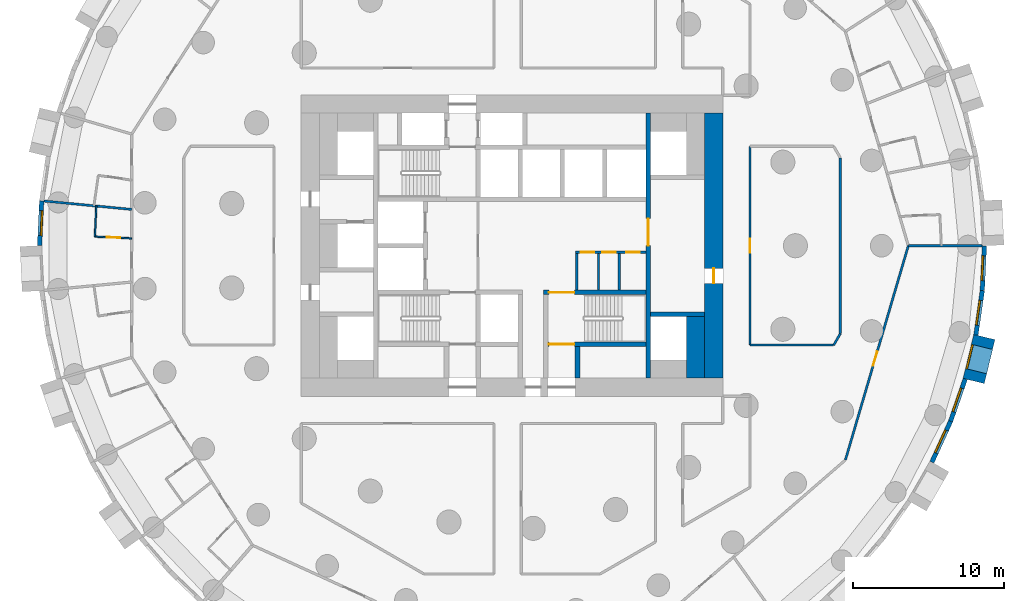
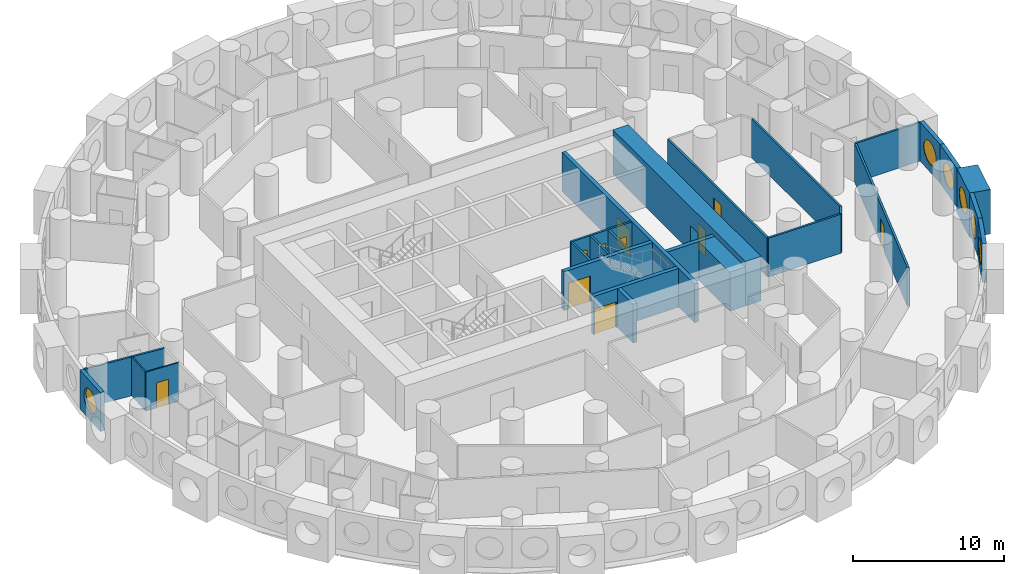
# One storey, part 6 of 12: 26 walls, 10 doors, 6 windows, 16 openings.
"""IFC4 building model written with IfcOpenShell, lengths in metres."""

from ifc_helpers import new_model, si_unit, direction, frame, frame_2d, origin, origin_2d, place, context, subcontext, project, spatial, rectangle, circle, extrude, material, layer, layer_set, type_object, element, fill, save


model = new_model("IFC4")

# Units and contexts
model_context = context("Model", 3, precision=1e-05, world=origin(), true_north=direction((0.0, 1.0)))
body_context = subcontext(model_context, "Body", "Model", "MODEL_VIEW")
ifc_project = project(units=[si_unit("LENGTHUNIT", "METRE"), si_unit("AREAUNIT", "SQUARE_METRE"), si_unit("VOLUMEUNIT", "CUBIC_METRE"), si_unit("PLANEANGLEUNIT", "RADIAN"), si_unit("MASSUNIT", "GRAM", prefix="KILO")], contexts=[model_context])

# Site, building, storey
site_placement = place(None, origin())
site = spatial("IfcSite", under=ifc_project, at=site_placement, CompositionType="ELEMENT")
building_placement = place(site_placement, origin())
building = spatial("IfcBuilding", under=site, at=building_placement, Name="Tracery Tower", CompositionType="ELEMENT")
storey_placement = place(building_placement, frame((0.0, 0.0, 31.800048828125)))
storey = spatial("IfcBuildingStorey", under=building, at=storey_placement, Name="L06", CompositionType="ELEMENT", Elevation=31.800048828125)

# Wall
ifc_material_1 = material(Name="Plasterboard on steel studs", Category="steel")
ifc_layer_1 = layer(ifc_material_1, 0.14990234375)
ifc_layer_set_1 = layer_set([ifc_layer_1], Name="Core room partition 150")
wall_type_1 = type_object("IfcWallType", Name="Core room partition 150", PredefinedType="SOLIDWALL", material=ifc_layer_set_1)
wall_1_placement = place(storey_placement, frame((4.300048828125, -2.949951171875, 0.0), z_axis=(0.0, 0.0, 1.0), x_axis=(0.0, 1.0, 0.0)))
element("IfcWall", 1, at=wall_1_placement, inside=storey, type_object=wall_type_1, Name="L06 slot W", PredefinedType="SOLIDWALL", context=body_context, shape_type="SweptSolid", body=[
    extrude(rectangle(XDim=2.449951171875, YDim=0.14990234375, at=frame_2d((1.22509765625, 0.0))), origin(), (0.0, 0.0, 1.0), 3.14990234375),
])

# Wall, openings, doors
wall_2_placement = place(storey_placement, frame((4.22509765625, -0.425048828125, 0.0), z_axis=(0.0, 0.0, 1.0), x_axis=(1.0, 0.0, 0.0)))
wall_2 = element("IfcWall", 2, at=wall_2_placement, inside=storey, type_object=wall_type_1, Name="L06 slot N", PredefinedType="SOLIDWALL", context=body_context, shape_type="SweptSolid", body=[
    extrude(rectangle(XDim=4.6748046875, YDim=0.14990234375, at=frame_2d((2.33740234375, 0.0))), origin(), (0.0, 0.0, 1.0), 3.14990234375),
])
opening_1_placement = place(wall_2_placement, frame((0.35009765625, 0.0, 0.0)))
opening_1 = element("IfcOpeningElement", 3, at=opening_1_placement, cuts=wall_2, Name="Opening KD27", PredefinedType="OPENING", context=body_context, shape_type="SweptSolid", body=[
    extrude(rectangle(XDim=0.89990234375, YDim=2.10009765625, at=frame_2d((0.449951171875, 1.050048828125))), frame((0.0, 0.074951171875, 0.0), z_axis=(0.0, -1.0, 0.0), x_axis=(1.0, 0.0, 0.0)), (0.0, 0.0, 1.0), 0.14990234375),
])
opening_2_placement = place(wall_2_placement, frame((1.762451171875, 0.0, 0.0)))
opening_2 = element("IfcOpeningElement", 4, at=opening_2_placement, cuts=wall_2, Name="Opening KD31", PredefinedType="OPENING", context=body_context, shape_type="SweptSolid", body=[
    extrude(rectangle(XDim=0.89990234375, YDim=2.10009765625, at=frame_2d((0.449951171875, 1.050048828125))), frame((0.0, 0.074951171875, 0.0), z_axis=(0.0, -1.0, 0.0), x_axis=(1.0, 0.0, 0.0)), (0.0, 0.0, 1.0), 0.14990234375),
])
opening_3_placement = place(wall_2_placement, frame((3.375, 0.0, 0.0)))
opening_3 = element("IfcOpeningElement", 5, at=opening_3_placement, cuts=wall_2, Name="Opening KD22", PredefinedType="OPENING", context=body_context, shape_type="SweptSolid", body=[
    extrude(rectangle(XDim=0.89990234375, YDim=2.10009765625, at=frame_2d((0.449951171875, 1.050048828125))), frame((0.0, 0.074951171875, 0.0), z_axis=(0.0, -1.0, 0.0), x_axis=(1.0, 0.0, 0.0)), (0.0, 0.0, 1.0), 0.14990234375),
])
ifc_material_2 = material(Name="Timber door leaf", Category="wood")
door_type_1 = type_object("IfcDoorType", Name="Core WC door 900", OperationType="NOTDEFINED", PredefinedType="DOOR", material=ifc_material_2)
door_1_placement = place(opening_3_placement, origin())
door_1 = element("IfcDoor", 6, at=door_1_placement, inside=storey, type_object=door_type_1, Name="Core door", OperationType="SINGLE_SWING_RIGHT", OverallHeight=2.10009765625, OverallWidth=0.89990234375, PredefinedType="DOOR", context=body_context, shape_type="SweptSolid", body=[
    extrude(rectangle(XDim=0.89990234375, YDim=2.10009765625, at=frame_2d((0.449951171875, 1.050048828125))), frame((0.0, 0.02490234375, 0.0), z_axis=(0.0, -1.0, 0.0), x_axis=(1.0, 0.0, 0.0)), (0.0, 0.0, 1.0), 0.050048828125),
])
fill(opening_3, door_1)
ifc_material_3 = material(Name="Steel fire door", Category="steel")
door_type_2 = type_object("IfcDoorType", Name="Core riser door 900", OperationType="NOTDEFINED", PredefinedType="DOOR", material=ifc_material_3)
door_2_placement = place(opening_2_placement, origin())
door_2 = element("IfcDoor", 7, at=door_2_placement, inside=storey, type_object=door_type_2, Name="Core door", OperationType="SINGLE_SWING_LEFT", OverallHeight=2.10009765625, OverallWidth=0.89990234375, PredefinedType="DOOR", context=body_context, shape_type="SweptSolid", body=[
    extrude(rectangle(XDim=0.89990234375, YDim=2.10009765625, at=frame_2d((0.449951171875, 1.050048828125))), frame((0.0, 0.02490234375, 0.0), z_axis=(0.0, -1.0, 0.0), x_axis=(1.0, 0.0, 0.0)), (0.0, 0.0, 1.0), 0.050048828125),
])
fill(opening_2, door_2)
ifc_material_4 = material(Name="Timber door leaf", Category="wood")
door_type_3 = type_object("IfcDoorType", Name="Core store door 900", OperationType="NOTDEFINED", PredefinedType="DOOR", material=ifc_material_4)
door_3_placement = place(opening_1_placement, origin())
door_3 = element("IfcDoor", 8, at=door_3_placement, inside=storey, type_object=door_type_3, Name="Core door", OperationType="SINGLE_SWING_RIGHT", OverallHeight=2.10009765625, OverallWidth=0.89990234375, PredefinedType="DOOR", context=body_context, shape_type="SweptSolid", body=[
    extrude(rectangle(XDim=0.89990234375, YDim=2.10009765625, at=frame_2d((0.449951171875, 1.050048828125))), frame((0.0, 0.02490234375, 0.0), z_axis=(0.0, -1.0, 0.0), x_axis=(1.0, 0.0, 0.0)), (0.0, 0.0, 1.0), 0.050048828125),
])
fill(opening_1, door_3)

# Walls
for number, where, z_axis, x_axis, name in (
    (9, (5.75, -2.949951171875, 0.0), (0.0, 0.0, 1.0), (0.0, 1.0, 0.0), "L06 slot sep 1"),
    (10, (7.125, -2.949951171875, 0.0), (0.0, 0.0, 1.0), (0.0, 1.0, 0.0), "L06 slot sep 2"),
):
    element("IfcWall", number, at=place(storey_placement, frame(where, z_axis=z_axis, x_axis=x_axis)), inside=storey, type_object=wall_type_1, Name=name, PredefinedType="SOLIDWALL", context=body_context, shape_type="SweptSolid", body=[
        extrude(rectangle(XDim=2.449951171875, YDim=0.14990234375, at=frame_2d((1.22509765625, 0.0))), origin(), (0.0, 0.0, 1.0), 3.14990234375),
    ])
ifc_material_5 = material(Name="Concrete C60/75", Category="concrete")
ifc_layer_2 = layer(ifc_material_5, 1.199951171875)
ifc_layer_set_2 = layer_set([ifc_layer_2], Name="Core strip wall 1200 C60")
wall_type_2 = type_object("IfcWallType", Name="Core strip wall 1200 C60", PredefinedType="SOLIDWALL", material=ifc_layer_set_2)
wall_3_placement = place(storey_placement, frame((12.199951171875, -8.800048828125, 0.0), z_axis=(0.0, 0.0, 1.0), x_axis=(0.0, 1.0, 0.0)))
element("IfcWall", 11, at=wall_3_placement, inside=storey, type_object=wall_type_2, Name="L06 wing strip +1 -9.4", PredefinedType="SOLIDWALL", context=body_context, shape_type="SweptSolid", body=[
    extrude(rectangle(XDim=4.10009765625, YDim=1.199951171875, at=frame_2d((2.050048828125, 0.0))), origin(), (0.0, 0.0, 1.0), 3.14990234375),
])

# Wall, opening, door
ifc_material_6 = material(Name="Concrete C60/75", Category="concrete")
ifc_layer_3 = layer(ifc_material_6, 1.199951171875)
ifc_layer_set_3 = layer_set([ifc_layer_3], Name="Core wall 1200 C60")
wall_type_3 = type_object("IfcWallType", Name="Core wall 1200 C60", PredefinedType="SOLIDWALL", material=ifc_layer_set_3)
wall_4_placement = place(storey_placement, frame((13.39990234375, -8.800048828125, 0.0), z_axis=(0.0, 0.0, 1.0), x_axis=(0.0, 1.0, 0.0)))
wall_4 = element("IfcWall", 12, at=wall_4_placement, inside=storey, type_object=wall_type_3, Name="L06 outer E", PredefinedType="SOLIDWALL", context=body_context, shape_type="SweptSolid", body=[
    extrude(rectangle(XDim=17.60009765625, YDim=1.199951171875, at=frame_2d((8.800048828125, 0.0))), origin(), (0.0, 0.0, 1.0), 3.599853515625),
])
opening_4_placement = place(wall_4_placement, frame((6.300048828125, 0.0, 0.0)))
opening_4 = element("IfcOpeningElement", 13, at=opening_4_placement, cuts=wall_4, Name="Opening KD18", PredefinedType="OPENING", context=body_context, shape_type="SweptSolid", body=[
    extrude(rectangle(XDim=1.0, YDim=2.10009765625, at=frame_2d((0.5, 1.050048828125))), frame((0.0, 0.60009765625, 0.0), z_axis=(0.0, -1.0, 0.0), x_axis=(1.0, 0.0, 0.0)), (0.0, 0.0, 1.0), 1.199951171875),
])
ifc_material_7 = material(Name="Steel fire door", Category="steel")
door_type_4 = type_object("IfcDoorType", Name="Core exit door 1000", OperationType="NOTDEFINED", PredefinedType="DOOR", material=ifc_material_7)
door_4_placement = place(opening_4_placement, origin())
door_4 = element("IfcDoor", 14, at=door_4_placement, inside=storey, type_object=door_type_4, Name="Core exit door", OperationType="DOUBLE_DOOR_SINGLE_SWING", OverallHeight=2.10009765625, OverallWidth=1.0, PredefinedType="DOOR", context=body_context, shape_type="SweptSolid", body=[
    extrude(rectangle(XDim=1.0, YDim=2.10009765625, at=frame_2d((0.5, 1.050048828125))), frame((0.0, 0.02490234375, 0.0), z_axis=(0.0, -1.0, 0.0), x_axis=(1.0, 0.0, 0.0)), (0.0, 0.0, 1.0), 0.050048828125),
])
fill(opening_4, door_4)

# Wall, opening, window
ifc_material_8 = material(Name="Precast concrete C50/60", Category="concrete")
ifc_layer_4 = layer(ifc_material_8, 1.449951171875)
ifc_layer_set_4 = layer_set([ifc_layer_4], Name="Deep-set bay unit 3000 x 3600, slab edge 450")
wall_type_4 = type_object("IfcWallType", Name="Deep-set bay unit 3000 x 3600, slab edge 450", PredefinedType="ELEMENTEDWALL", material=ifc_layer_set_4)
wall_5_placement = place(storey_placement, frame((30.66064453125, -8.981689453125, -0.449951171875), z_axis=(0.0, 0.0, 1.0), x_axis=(0.235751415068, 0.971813392732, 0.0)))
wall_5 = element("IfcWall", 15, at=wall_5_placement, inside=storey, type_object=wall_type_4, Name="Deep-set bay unit 64 at L06", PredefinedType="ELEMENTEDWALL", context=body_context, shape_type="SweptSolid", body=[
    extrude(rectangle(XDim=3.0, YDim=1.449951171875, at=frame_2d((1.5, 0.0))), origin(), (0.0, 0.0, 1.0), 3.599853515625),
])
opening_5_placement = place(wall_5_placement, frame((1.5, 0.0, 2.0)))
opening_5 = element("IfcOpeningElement", 16, at=opening_5_placement, cuts=wall_5, Name="Opening WN1", PredefinedType="OPENING", context=body_context, shape_type="SweptSolid", body=[
    extrude(circle(Radius=0.9000244140625, at=origin_2d()), frame((0.0, 0.73486328125, 0.0), z_axis=(0.0, -1.0, 0.0), x_axis=(1.0, 0.0, 0.0)), (0.0, 0.0, 1.0), 1.469970703125),
])
ifc_material_9 = material(Name="Aluminium frame with tinted double glazing", Category="aluminium")
window_type = type_object("IfcWindowType", Name="Round window 1800", PartitioningType="SINGLE_PANEL", PredefinedType="WINDOW", material=ifc_material_9)
window_1_placement = place(opening_5_placement, origin())
window_1 = element("IfcWindow", 17, at=window_1_placement, inside=storey, type_object=window_type, Name="Round window 64 at L06", OverallHeight=1.800048828125, OverallWidth=1.800048828125, PartitioningType="SINGLE_PANEL", PredefinedType="WINDOW", context=body_context, shape_type="SweptSolid", body=[
    extrude(circle(Radius=0.9000244140625, at=origin_2d()), frame((0.0, 0.69482421875, 0.0), z_axis=(0.0, -1.0, 0.0), x_axis=(1.0, 0.0, 0.0)), (0.0, 0.0, 1.0), 0.10009765625),
])
fill(opening_5, window_1)

ifc_material_10 = material(Name="Precast concrete C50/60", Category="concrete")
ifc_layer_5 = layer(ifc_material_10, 0.300048828125)
ifc_layer_set_5 = layer_set([ifc_layer_5], Name="Facade panel 3000 x 3150")
wall_type_5 = type_object("IfcWallType", Name="Facade panel 3000 x 3150", PredefinedType="SOLIDWALL", material=ifc_layer_set_5)
wall_6_placement = place(storey_placement, frame((-31.232421875, 2.982421875, 0.0), z_axis=(0.0, 0.0, 1.0), x_axis=(-0.047522328113, -0.998870175914, 0.0)))
wall_6 = element("IfcWall", 18, at=wall_6_placement, inside=storey, type_object=wall_type_5, Name="Facade panel 33 at L06", PredefinedType="SOLIDWALL", context=body_context, shape_type="SweptSolid", body=[
    extrude(rectangle(XDim=2.979736328125, YDim=0.300048828125, at=frame_2d((1.48974609375, 0.0))), origin(), (0.0, 0.0, 1.0), 3.14990234375),
])
opening_6_placement = place(wall_6_placement, frame((1.48974609375, 0.0, 1.5498046875)))
opening_6 = element("IfcOpeningElement", 19, at=opening_6_placement, cuts=wall_6, Name="Opening WN1", PredefinedType="OPENING", context=body_context, shape_type="SweptSolid", body=[
    extrude(circle(Radius=0.9000244140625, at=origin_2d()), frame((0.0, 0.159912109375, 0.0), z_axis=(0.0, -1.0, 0.0), x_axis=(1.0, 0.0, 0.0)), (0.0, 0.0, 1.0), 0.320068359375),
])
window_2_placement = place(opening_6_placement, origin())
window_2 = element("IfcWindow", 20, at=window_2_placement, inside=storey, type_object=window_type, Name="Round window 33 at L06", OverallHeight=1.800048828125, OverallWidth=1.800048828125, PartitioningType="SINGLE_PANEL", PredefinedType="WINDOW", context=body_context, shape_type="SweptSolid", body=[
    extrude(circle(Radius=0.9000244140625, at=origin_2d()), frame((0.0, 0.1201171875, 0.0), z_axis=(0.0, -1.0, 0.0), x_axis=(1.0, 0.0, 0.0)), (0.0, 0.0, 1.0), 0.10009765625),
])
fill(opening_6, window_2)

wall_7_placement = place(storey_placement, frame((27.88916015625, -14.37109375, 0.0), z_axis=(0.0, 0.0, 1.0), x_axis=(0.415407317162, 0.909635509888, 0.0)))
wall_7 = element("IfcWall", 21, at=wall_7_placement, inside=storey, type_object=wall_type_5, Name="Facade panel 62 at L06", PredefinedType="SOLIDWALL", context=body_context, shape_type="SweptSolid", body=[
    extrude(rectangle(XDim=2.979736328125, YDim=0.300048828125, at=frame_2d((1.48974609375, 0.0))), origin(), (0.0, 0.0, 1.0), 3.14990234375),
])
opening_7_placement = place(wall_7_placement, frame((1.48974609375, 0.0, 1.5498046875)))
opening_7 = element("IfcOpeningElement", 22, at=opening_7_placement, cuts=wall_7, Name="Opening WN1", PredefinedType="OPENING", context=body_context, shape_type="SweptSolid", body=[
    extrude(circle(Radius=0.9000244140625, at=origin_2d()), frame((0.0, 0.159912109375, 0.0), z_axis=(0.0, -1.0, 0.0), x_axis=(1.0, 0.0, 0.0)), (0.0, 0.0, 1.0), 0.320068359375),
])
window_3_placement = place(opening_7_placement, origin())
window_3 = element("IfcWindow", 23, at=window_3_placement, inside=storey, type_object=window_type, Name="Round window 62 at L06", OverallHeight=1.800048828125, OverallWidth=1.800048828125, PartitioningType="SINGLE_PANEL", PredefinedType="WINDOW", context=body_context, shape_type="SweptSolid", body=[
    extrude(circle(Radius=0.9000244140625, at=origin_2d()), frame((0.0, 0.1201171875, 0.0), z_axis=(0.0, -1.0, 0.0), x_axis=(1.0, 0.0, 0.0)), (0.0, 0.0, 1.0), 0.10009765625),
])
fill(opening_7, window_3)

wall_8_placement = place(storey_placement, frame((29.126953125, -11.66064453125, 0.0), z_axis=(0.0, 0.0, 1.0), x_axis=(0.327096492592, 0.944990944154, 0.0)))
wall_8 = element("IfcWall", 24, at=wall_8_placement, inside=storey, type_object=wall_type_5, Name="Facade panel 63 at L06", PredefinedType="SOLIDWALL", context=body_context, shape_type="SweptSolid", body=[
    extrude(rectangle(XDim=2.9794921875, YDim=0.300048828125, at=frame_2d((1.48974609375, 0.0))), origin(), (0.0, 0.0, 1.0), 3.14990234375),
])
opening_8_placement = place(wall_8_placement, frame((1.48974609375, 0.0, 1.5498046875)))
opening_8 = element("IfcOpeningElement", 25, at=opening_8_placement, cuts=wall_8, Name="Opening WN1", PredefinedType="OPENING", context=body_context, shape_type="SweptSolid", body=[
    extrude(circle(Radius=0.9000244140625, at=origin_2d()), frame((0.0, 0.159912109375, 0.0), z_axis=(0.0, -1.0, 0.0), x_axis=(1.0, 0.0, 0.0)), (0.0, 0.0, 1.0), 0.320068359375),
])
window_4_placement = place(opening_8_placement, origin())
window_4 = element("IfcWindow", 26, at=window_4_placement, inside=storey, type_object=window_type, Name="Round window 63 at L06", OverallHeight=1.800048828125, OverallWidth=1.800048828125, PartitioningType="SINGLE_PANEL", PredefinedType="WINDOW", context=body_context, shape_type="SweptSolid", body=[
    extrude(circle(Radius=0.9000244140625, at=origin_2d()), frame((0.0, 0.1201171875, 0.0), z_axis=(0.0, -1.0, 0.0), x_axis=(1.0, 0.0, 0.0)), (0.0, 0.0, 1.0), 0.10009765625),
])
fill(opening_8, window_4)

wall_9_placement = place(storey_placement, frame((30.808349609375, -5.931640625, 0.0), z_axis=(0.0, 0.0, 1.0), x_axis=(0.142327539111, 0.989819615693, 0.0)))
wall_9 = element("IfcWall", 27, at=wall_9_placement, inside=storey, type_object=wall_type_5, Name="Facade panel 65 at L06", PredefinedType="SOLIDWALL", context=body_context, shape_type="SweptSolid", body=[
    extrude(rectangle(XDim=2.9794921875, YDim=0.300048828125, at=frame_2d((1.48974609375, 0.0))), origin(), (0.0, 0.0, 1.0), 3.14990234375),
])
opening_9_placement = place(wall_9_placement, frame((1.48974609375, 0.0, 1.5498046875)))
opening_9 = element("IfcOpeningElement", 28, at=opening_9_placement, cuts=wall_9, Name="Opening WN1", PredefinedType="OPENING", context=body_context, shape_type="SweptSolid", body=[
    extrude(circle(Radius=0.9000244140625, at=origin_2d()), frame((0.0, 0.159912109375, 0.0), z_axis=(0.0, -1.0, 0.0), x_axis=(1.0, 0.0, 0.0)), (0.0, 0.0, 1.0), 0.320068359375),
])
window_5_placement = place(opening_9_placement, origin())
window_5 = element("IfcWindow", 29, at=window_5_placement, inside=storey, type_object=window_type, Name="Round window 65 at L06", OverallHeight=1.800048828125, OverallWidth=1.800048828125, PartitioningType="SINGLE_PANEL", PredefinedType="WINDOW", context=body_context, shape_type="SweptSolid", body=[
    extrude(circle(Radius=0.9000244140625, at=origin_2d()), frame((0.0, 0.1201171875, 0.0), z_axis=(0.0, -1.0, 0.0), x_axis=(1.0, 0.0, 0.0)), (0.0, 0.0, 1.0), 0.10009765625),
])
fill(opening_9, window_5)

wall_10_placement = place(storey_placement, frame((31.232421875, -2.982421875, 0.0), z_axis=(0.0, 0.0, 1.0), x_axis=(0.047522328113, 0.998870175914, 0.0)))
wall_10 = element("IfcWall", 30, at=wall_10_placement, inside=storey, type_object=wall_type_5, Name="Facade panel 66 at L06", PredefinedType="SOLIDWALL", context=body_context, shape_type="SweptSolid", body=[
    extrude(rectangle(XDim=2.979736328125, YDim=0.300048828125, at=frame_2d((1.48974609375, 0.0))), origin(), (0.0, 0.0, 1.0), 3.14990234375),
])
opening_10_placement = place(wall_10_placement, frame((1.48974609375, 0.0, 1.5498046875)))
opening_10 = element("IfcOpeningElement", 31, at=opening_10_placement, cuts=wall_10, Name="Opening WN1", PredefinedType="OPENING", context=body_context, shape_type="SweptSolid", body=[
    extrude(circle(Radius=0.9000244140625, at=origin_2d()), frame((0.0, 0.159912109375, 0.0), z_axis=(0.0, -1.0, 0.0), x_axis=(1.0, 0.0, 0.0)), (0.0, 0.0, 1.0), 0.320068359375),
])
window_6_placement = place(opening_10_placement, origin())
window_6 = element("IfcWindow", 32, at=window_6_placement, inside=storey, type_object=window_type, Name="Round window 66 at L06", OverallHeight=1.800048828125, OverallWidth=1.800048828125, PartitioningType="SINGLE_PANEL", PredefinedType="WINDOW", context=body_context, shape_type="SweptSolid", body=[
    extrude(circle(Radius=0.9000244140625, at=origin_2d()), frame((0.0, 0.1201171875, 0.0), z_axis=(0.0, -1.0, 0.0), x_axis=(1.0, 0.0, 0.0)), (0.0, 0.0, 1.0), 0.10009765625),
])
fill(opening_10, window_6)

# Wall
ifc_material_11 = material(Name="Plasterboard on steel studs", Category="steel")
ifc_layer_6 = layer(ifc_material_11, 0.10009765625)
ifc_layer_set_6 = layer_set([ifc_layer_6], Name="Partition 100 wet wall")
wall_type_6 = type_object("IfcWallType", Name="Partition 100 wet wall", PredefinedType="PARTITIONING", material=ifc_layer_set_6)
wall_11_placement = place(storey_placement, frame((-27.701904296875, 0.60498046875, 0.0), z_axis=(0.0, 0.0, 1.0), x_axis=(0.047667833557, 0.998863242713, 0.0)))
element("IfcWall", 33, at=wall_11_placement, inside=storey, type_object=wall_type_6, Name="Wet wall RA1-097", PredefinedType="PARTITIONING", context=body_context, shape_type="SweptSolid", body=[
    extrude(rectangle(XDim=2.033203125, YDim=0.10009765625, at=frame_2d((1.0166015625, 0.0))), origin(), (0.0, 0.0, 1.0), 3.14990234375),
])

# Wall, opening, door
wall_12_placement = place(storey_placement, frame((-27.701904296875, 0.60498046875, 0.0), z_axis=(0.0, 0.0, 1.0), x_axis=(0.998861820864, -0.047697618602, 0.0)))
wall_12 = element("IfcWall", 34, at=wall_12_placement, inside=storey, type_object=wall_type_6, Name="Wet wall RA1-098", PredefinedType="PARTITIONING", context=body_context, shape_type="SweptSolid", body=[
    extrude(rectangle(XDim=2.45166015625, YDim=0.10009765625, at=frame_2d((1.225830078125, 0.0))), origin(), (0.0, 0.0, 1.0), 3.14990234375),
])
opening_11_placement = place(wall_12_placement, frame((0.77587890625, 0.0, 0.0)))
opening_11 = element("IfcOpeningElement", 35, at=opening_11_placement, cuts=wall_12, Name="Opening RA1-35", PredefinedType="OPENING", context=body_context, shape_type="SweptSolid", body=[
    extrude(rectangle(XDim=0.89990234375, YDim=2.0400390625, at=frame_2d((0.449951171875, 1.02001953125))), frame((0.0, 0.050048828125, 0.0), z_axis=(0.0, -1.0, 0.0), x_axis=(1.0, 0.0, 0.0)), (0.0, 0.0, 1.0), 0.10009765625),
])
ifc_material_12 = material(Name="Timber door leaf", Category="wood")
door_type_5 = type_object("IfcDoorType", Name="Door en-suite 900", OperationType="NOTDEFINED", PredefinedType="DOOR", material=ifc_material_12)
door_5_placement = place(opening_11_placement, origin())
door_5 = element("IfcDoor", 36, at=door_5_placement, inside=storey, type_object=door_type_5, Name="En-suite door RA1-35", OperationType="SINGLE_SWING_RIGHT", OverallHeight=2.0400390625, OverallWidth=0.89990234375, PredefinedType="DOOR", context=body_context, shape_type="SweptSolid", body=[
    extrude(rectangle(XDim=0.89990234375, YDim=2.0400390625, at=frame_2d((0.449951171875, 1.02001953125))), frame((0.0, 0.02490234375, 0.0), z_axis=(0.0, -1.0, 0.0), x_axis=(1.0, 0.0, 0.0)), (0.0, 0.0, 1.0), 0.050048828125),
])
fill(opening_11, door_5)

# Walls
ifc_material_13 = material(Name="Plasterboard on steel studs", Category="steel")
ifc_layer_7 = layer(ifc_material_13, 0.14990234375)
ifc_layer_set_7 = layer_set([ifc_layer_7], Name="Partition 150 acoustic unit wall")
wall_type_7 = type_object("IfcWallType", Name="Partition 150 acoustic unit wall", PredefinedType="PARTITIONING", material=ifc_layer_set_7)
wall_13_placement = place(storey_placement, frame((26.319091796875, 0.0, 0.0), z_axis=(0.0, 0.0, 1.0), x_axis=(1.0, 0.0, 0.0)))
element("IfcWall", 37, at=wall_13_placement, inside=storey, type_object=wall_type_7, Name="Unit wall RA1-061", PredefinedType="PARTITIONING", context=body_context, shape_type="SweptSolid", body=[
    extrude(rectangle(XDim=4.905029296875, YDim=0.14990234375, at=frame_2d((2.45263671875, 0.0))), origin(), (0.0, 0.0, 1.0), 3.14990234375),
])
wall_14_placement = place(storey_placement, frame((-31.0830078125, 2.968017578125, 0.0), z_axis=(0.0, 0.0, 1.0), x_axis=(0.995476905331, -0.095003847037, 0.0)))
element("IfcWall", 38, at=wall_14_placement, inside=storey, type_object=wall_type_7, Name="Unit wall RA1-096", PredefinedType="PARTITIONING", context=body_context, shape_type="SweptSolid", body=[
    extrude(rectangle(XDim=5.856689453125, YDim=0.14990234375, at=frame_2d((2.92822265625, 0.0))), origin(), (0.0, 0.0, 1.0), 3.14990234375),
])

# Wall, opening, door
ifc_material_14 = material(Name="Plasterboard on steel studs", Category="steel")
ifc_layer_8 = layer(ifc_material_14, 0.14990234375)
ifc_layer_set_8 = layer_set([ifc_layer_8], Name="Partition 150 corridor wall")
wall_type_8 = type_object("IfcWallType", Name="Partition 150 corridor wall", PredefinedType="PARTITIONING", material=ifc_layer_set_8)
wall_15_placement = place(storey_placement, frame((15.800048828125, -6.60400390625, 0.0), z_axis=(0.0, 0.0, 1.0), x_axis=(0.0, 1.0, 0.0)))
wall_15 = element("IfcWall", 39, at=wall_15_placement, inside=storey, type_object=wall_type_8, Name="Corridor wall RA1-011", PredefinedType="PARTITIONING", context=body_context, shape_type="SweptSolid", body=[
    extrude(rectangle(XDim=13.2080078125, YDim=0.14990234375, at=frame_2d((6.60400390625, 0.0))), origin(), (0.0, 0.0, 1.0), 3.14990234375),
])
opening_12_placement = place(wall_15_placement, frame((6.12890625, 0.0, 0.0)))
opening_12 = element("IfcOpeningElement", 40, at=opening_12_placement, cuts=wall_15, Name="Opening RA1-07", PredefinedType="OPENING", context=body_context, shape_type="SweptSolid", body=[
    extrude(rectangle(XDim=0.949951171875, YDim=2.10009765625, at=frame_2d((0.47509765625, 1.050048828125))), frame((0.0, 0.074951171875, 0.0), z_axis=(0.0, -1.0, 0.0), x_axis=(1.0, 0.0, 0.0)), (0.0, 0.0, 1.0), 0.14990234375),
])
ifc_material_15 = material(Name="Timber door leaf", Category="wood")
door_type_6 = type_object("IfcDoorType", Name="Door store 950", OperationType="NOTDEFINED", PredefinedType="DOOR", material=ifc_material_15)
door_6_placement = place(opening_12_placement, origin())
door_6 = element("IfcDoor", 41, at=door_6_placement, inside=storey, type_object=door_type_6, Name="Store door RA1-07", OperationType="SINGLE_SWING_LEFT", OverallHeight=2.10009765625, OverallWidth=0.949951171875, PredefinedType="DOOR", context=body_context, shape_type="SweptSolid", body=[
    extrude(rectangle(XDim=0.949951171875, YDim=2.10009765625, at=frame_2d((0.47509765625, 1.050048828125))), frame((0.0, 0.02490234375, 0.0), z_axis=(0.0, -1.0, 0.0), x_axis=(1.0, 0.0, 0.0)), (0.0, 0.0, 1.0), 0.050048828125),
])
fill(opening_12, door_6)

# Walls
wall_16_placement = place(storey_placement, frame((15.800048828125, -6.60009765625, 0.0), z_axis=(0.0, 0.0, 1.0), x_axis=(1.0, 0.0, 0.0)))
element("IfcWall", 42, at=wall_16_placement, inside=storey, type_object=wall_type_8, Name="Corridor wall RA1-015", PredefinedType="PARTITIONING", context=body_context, shape_type="SweptSolid", body=[
    extrude(rectangle(XDim=5.56396484375, YDim=0.14990234375, at=frame_2d((2.781982421875, 0.0))), origin(), (0.0, 0.0, 1.0), 3.14990234375),
])
wall_17_placement = place(storey_placement, frame((21.364013671875, -6.60009765625, 0.0), z_axis=(0.0, 0.0, 1.0), x_axis=(0.500277597875, 0.865865073245, 0.0)))
element("IfcWall", 43, at=wall_17_placement, inside=storey, type_object=wall_type_8, Name="Corridor wall RA1-016", PredefinedType="PARTITIONING", context=body_context, shape_type="SweptSolid", body=[
    extrude(rectangle(XDim=0.87548828125, YDim=0.14990234375, at=frame_2d((0.437744140625, 0.0))), origin(), (0.0, 0.0, 1.0), 3.14990234375),
])
wall_18_placement = place(storey_placement, frame((21.802001953125, -5.842041015625, 0.0), z_axis=(0.0, 0.0, 1.0), x_axis=(0.0, 1.0, 0.0)))
element("IfcWall", 44, at=wall_18_placement, inside=storey, type_object=wall_type_8, Name="Corridor wall RA1-017", PredefinedType="PARTITIONING", context=body_context, shape_type="SweptSolid", body=[
    extrude(rectangle(XDim=11.68408203125, YDim=0.14990234375, at=frame_2d((5.842041015625, 0.0))), origin(), (0.0, 0.0, 1.0), 3.14990234375),
])

# Wall, opening, door
wall_19_placement = place(storey_placement, frame((22.14111328125, -14.22900390625, 0.0), z_axis=(0.0, 0.0, 1.0), x_axis=(0.281730446162, 0.959493593363, 0.0)))
wall_19 = element("IfcWall", 45, at=wall_19_placement, inside=storey, type_object=wall_type_8, Name="Corridor wall RA1-022", PredefinedType="PARTITIONING", context=body_context, shape_type="SweptSolid", body=[
    extrude(rectangle(XDim=14.82958984375, YDim=0.14990234375, at=frame_2d((7.414794921875, 0.0))), origin(), (0.0, 0.0, 1.0), 3.14990234375),
])
opening_13_placement = place(wall_19_placement, frame((6.5146484375, 0.0, 0.0)))
opening_13 = element("IfcOpeningElement", 46, at=opening_13_placement, cuts=wall_19, Name="Opening RA1-48", PredefinedType="OPENING", context=body_context, shape_type="SweptSolid", body=[
    extrude(rectangle(XDim=1.0, YDim=2.0400390625, at=frame_2d((0.5, 1.02001953125))), frame((0.0, 0.074951171875, 0.0), z_axis=(0.0, -1.0, 0.0), x_axis=(1.0, 0.0, 0.0)), (0.0, 0.0, 1.0), 0.14990234375),
])
ifc_material_16 = material(Name="Timber door leaf", Category="wood")
door_type_7 = type_object("IfcDoorType", Name="Door communal room 1000", OperationType="NOTDEFINED", PredefinedType="DOOR", material=ifc_material_16)
door_7_placement = place(opening_13_placement, origin())
door_7 = element("IfcDoor", 47, at=door_7_placement, inside=storey, type_object=door_type_7, Name="Communal room door RA1-48", OperationType="SINGLE_SWING_RIGHT", OverallHeight=2.0400390625, OverallWidth=1.0, PredefinedType="DOOR", context=body_context, shape_type="SweptSolid", body=[
    extrude(rectangle(XDim=1.0, YDim=2.0400390625, at=frame_2d((0.5, 1.02001953125))), frame((0.0, 0.02490234375, 0.0), z_axis=(0.0, -1.0, 0.0), x_axis=(1.0, 0.0, 0.0)), (0.0, 0.0, 1.0), 0.050048828125),
])
fill(opening_13, door_7)

# Walls
ifc_material_17 = material(Name="Concrete C60/75", Category="concrete")
ifc_layer_9 = layer(ifc_material_17, 0.300048828125)
ifc_layer_set_9 = layer_set([ifc_layer_9], Name="Shaft wall 300 C60")
wall_type_9 = type_object("IfcWallType", Name="Shaft wall 300 C60", PredefinedType="SOLIDWALL", material=ifc_layer_set_9)
wall_20_placement = place(storey_placement, frame((4.35009765625, -8.800048828125, 0.0), z_axis=(0.0, 0.0, 1.0), x_axis=(0.0, 1.0, 0.0)))
element("IfcWall", 48, at=wall_20_placement, inside=storey, type_object=wall_type_9, Name="L06 band S +4.35", PredefinedType="SOLIDWALL", context=body_context, shape_type="SweptSolid", body=[
    extrude(rectangle(XDim=2.10009765625, YDim=0.300048828125, at=frame_2d((1.050048828125, 0.0))), origin(), (0.0, 0.0, 1.0), 3.14990234375),
])
wall_21_placement = place(storey_placement, frame((9.199951171875, -4.550048828125, 0.0), z_axis=(0.0, 0.0, 1.0), x_axis=(1.0, 0.0, 0.0)))
element("IfcWall", 49, at=wall_21_placement, inside=storey, type_object=wall_type_9, Name="L06 wing shaft wall +1 -4.55", PredefinedType="SOLIDWALL", context=body_context, shape_type="SweptSolid", body=[
    extrude(rectangle(XDim=3.60009765625, YDim=0.300048828125, at=frame_2d((1.800048828125, 0.0))), origin(), (0.0, 0.0, 1.0), 3.14990234375),
])

# Wall, opening, door
ifc_material_18 = material(Name="Concrete C60/75", Category="concrete")
ifc_layer_10 = layer(ifc_material_18, 0.300048828125)
ifc_layer_set_10 = layer_set([ifc_layer_10], Name="Stair wall 300 C60")
wall_type_10 = type_object("IfcWallType", Name="Stair wall 300 C60", PredefinedType="SOLIDWALL", material=ifc_layer_set_10)
wall_22_placement = place(storey_placement, frame((2.10009765625, -3.10009765625, 0.0), z_axis=(0.0, 0.0, 1.0), x_axis=(1.0, 0.0, 0.0)))
wall_22 = element("IfcWall", 50, at=wall_22_placement, inside=storey, type_object=wall_type_10, Name="L06 row S E", PredefinedType="SOLIDWALL", context=body_context, shape_type="SweptSolid", body=[
    extrude(rectangle(XDim=6.7998046875, YDim=0.300048828125, at=frame_2d((3.39990234375, 0.0))), origin(), (0.0, 0.0, 1.0), 3.14990234375),
])
opening_14_placement = place(wall_22_placement, frame((0.35009765625, 0.0, 0.0)))
opening_14 = element("IfcOpeningElement", 51, at=opening_14_placement, cuts=wall_22, Name="Opening KD3", PredefinedType="OPENING", context=body_context, shape_type="SweptSolid", body=[
    extrude(rectangle(XDim=1.699951171875, YDim=2.10009765625, at=frame_2d((0.85009765625, 1.050048828125))), frame((0.0, 0.14990234375, 0.0), z_axis=(0.0, -1.0, 0.0), x_axis=(1.0, 0.0, 0.0)), (0.0, 0.0, 1.0), 0.300048828125),
])
ifc_material_19 = material(Name="Steel fire door", Category="steel")
door_type_8 = type_object("IfcDoorType", Name="Core stair door 1700 double", OperationType="NOTDEFINED", PredefinedType="DOOR", material=ifc_material_19)
door_8_placement = place(opening_14_placement, origin())
door_8 = element("IfcDoor", 52, at=door_8_placement, inside=storey, type_object=door_type_8, Name="Stair door ST2", OperationType="DOUBLE_DOOR_SINGLE_SWING", OverallHeight=2.10009765625, OverallWidth=1.699951171875, PredefinedType="DOOR", context=body_context, shape_type="SweptSolid", body=[
    extrude(rectangle(XDim=1.699951171875, YDim=2.10009765625, at=frame_2d((0.85009765625, 1.050048828125))), frame((0.0, 0.02490234375, 0.0), z_axis=(0.0, -1.0, 0.0), x_axis=(1.0, 0.0, 0.0)), (0.0, 0.0, 1.0), 0.050048828125),
])
fill(opening_14, door_8)

wall_23_placement = place(storey_placement, frame((9.050048828125, -8.800048828125, 0.0), z_axis=(0.0, 0.0, 1.0), x_axis=(0.0, 1.0, 0.0)))
wall_23 = element("IfcWall", 53, at=wall_23_placement, inside=storey, type_object=wall_type_10, Name="L06 F wall +9", PredefinedType="SOLIDWALL", context=body_context, shape_type="SweptSolid", body=[
    extrude(rectangle(XDim=17.60009765625, YDim=0.300048828125, at=frame_2d((8.800048828125, 0.0))), origin(), (0.0, 0.0, 1.0), 3.14990234375),
])
opening_15_placement = place(wall_23_placement, frame((8.800048828125, 0.0, 0.0)))
opening_15 = element("IfcOpeningElement", 54, at=opening_15_placement, cuts=wall_23, Name="Opening KD13", PredefinedType="OPENING", context=body_context, shape_type="SweptSolid", body=[
    extrude(rectangle(XDim=1.800048828125, YDim=2.10009765625, at=frame_2d((0.89990234375, 1.050048828125))), frame((0.0, 0.14990234375, 0.0), z_axis=(0.0, -1.0, 0.0), x_axis=(1.0, 0.0, 0.0)), (0.0, 0.0, 1.0), 0.300048828125),
])
ifc_material_20 = material(Name="Steel fire door", Category="steel")
door_type_9 = type_object("IfcDoorType", Name="Core exit door 1800 double", OperationType="NOTDEFINED", PredefinedType="DOOR", material=ifc_material_20)
door_9_placement = place(opening_15_placement, origin())
door_9 = element("IfcDoor", 55, at=door_9_placement, inside=storey, type_object=door_type_9, Name="Core exit door", OperationType="DOUBLE_DOOR_SINGLE_SWING", OverallHeight=2.10009765625, OverallWidth=1.800048828125, PredefinedType="DOOR", context=body_context, shape_type="SweptSolid", body=[
    extrude(rectangle(XDim=1.800048828125, YDim=2.10009765625, at=frame_2d((0.89990234375, 1.050048828125))), frame((0.0, 0.02490234375, 0.0), z_axis=(0.0, -1.0, 0.0), x_axis=(1.0, 0.0, 0.0)), (0.0, 0.0, 1.0), 0.050048828125),
])
fill(opening_15, door_9)

wall_24_placement = place(storey_placement, frame((2.39990234375, -6.550048828125, 0.0), z_axis=(0.0, 0.0, 1.0), x_axis=(1.0, 0.0, 0.0)))
wall_24 = element("IfcWall", 56, at=wall_24_placement, inside=storey, type_object=wall_type_10, Name="L06 F S E", PredefinedType="SOLIDWALL", context=body_context, shape_type="SweptSolid", body=[
    extrude(rectangle(XDim=6.5, YDim=0.300048828125, at=frame_2d((3.25, 0.0))), origin(), (0.0, 0.0, 1.0), 3.14990234375),
])
opening_16_placement = place(wall_24_placement, frame((0.050048828125, 0.0, 0.0)))
opening_16 = element("IfcOpeningElement", 57, at=opening_16_placement, cuts=wall_24, Name="Opening KD3", PredefinedType="OPENING", context=body_context, shape_type="SweptSolid", body=[
    extrude(rectangle(XDim=1.699951171875, YDim=2.10009765625, at=frame_2d((0.85009765625, 1.050048828125))), frame((0.0, 0.14990234375, 0.0), z_axis=(0.0, -1.0, 0.0), x_axis=(1.0, 0.0, 0.0)), (0.0, 0.0, 1.0), 0.300048828125),
])
door_10_placement = place(opening_16_placement, origin())
door_10 = element("IfcDoor", 58, at=door_10_placement, inside=storey, type_object=door_type_8, Name="Stair door ST2 S", OperationType="DOUBLE_DOOR_SINGLE_SWING", OverallHeight=2.10009765625, OverallWidth=1.699951171875, PredefinedType="DOOR", context=body_context, shape_type="SweptSolid", body=[
    extrude(rectangle(XDim=1.699951171875, YDim=2.10009765625, at=frame_2d((0.85009765625, 1.050048828125))), frame((0.0, 0.02490234375, 0.0), z_axis=(0.0, -1.0, 0.0), x_axis=(1.0, 0.0, 0.0)), (0.0, 0.0, 1.0), 0.050048828125),
])
fill(opening_16, door_10)

save(model, "model.ifc")
